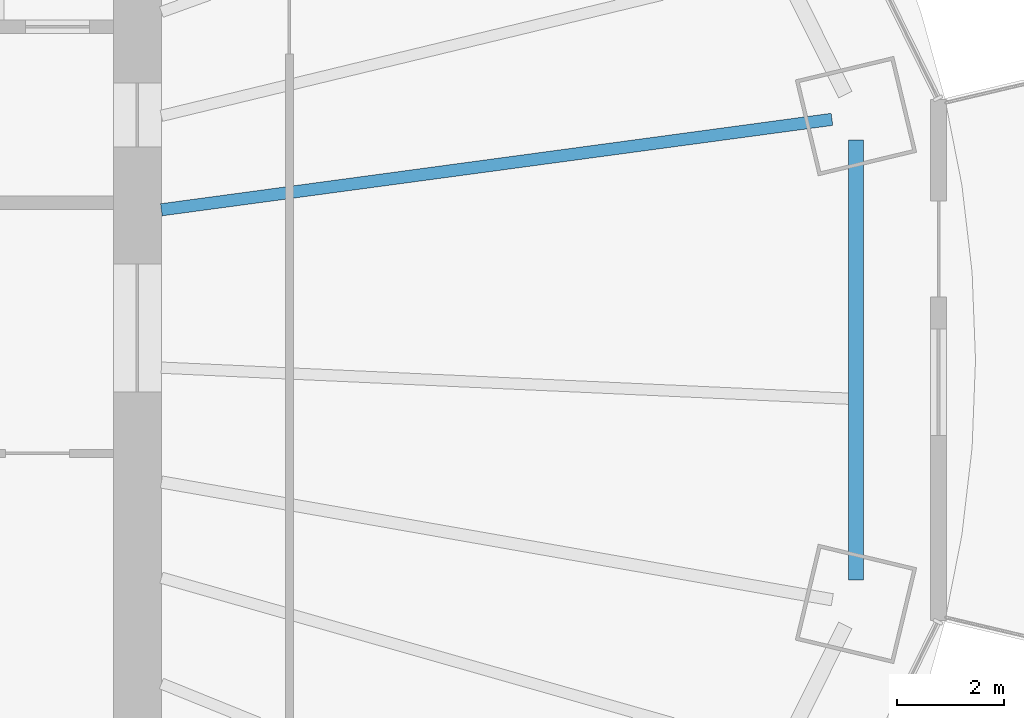
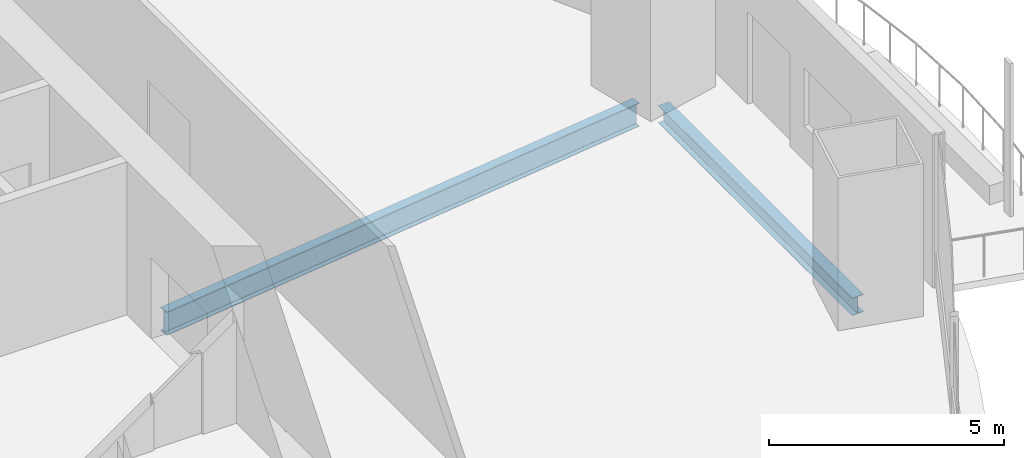
# One storey, part 5 of 19: 2 beams.
"""IFC4 building model written with IfcOpenShell, lengths in metres."""

from ifc_helpers import new_model, si_unit, direction, frame, origin, origin_2d, place, context, subcontext, project, spatial, i_section, extrude, material, material_profile, profile_set, type_object, element, save


model = new_model("IFC4")

# Units and contexts
model_context = context("Model", 3, precision=1e-05, world=origin(), true_north=direction((0.0, 1.0)))
body_context = subcontext(model_context, "Body", "Model", "MODEL_VIEW")
ifc_project = project(units=[si_unit("LENGTHUNIT", "METRE"), si_unit("AREAUNIT", "SQUARE_METRE"), si_unit("VOLUMEUNIT", "CUBIC_METRE"), si_unit("PLANEANGLEUNIT", "RADIAN"), si_unit("MASSUNIT", "GRAM", prefix="KILO")], contexts=[model_context])

# Site, building, storey
site_placement = place(None, origin())
site = spatial("IfcSite", under=ifc_project, at=site_placement, CompositionType="ELEMENT")
building_placement = place(site_placement, origin())
building = spatial("IfcBuilding", under=site, at=building_placement, Name="Marenthal Gate Tower", CompositionType="ELEMENT")
storey_placement = place(building_placement, frame((0.0, 0.0, 248.199951171875)))
storey = spatial("IfcBuildingStorey", under=building, at=storey_placement, Name="L55", CompositionType="ELEMENT", Elevation=248.199951171875)

# Beams
ifc_material_1 = material(Name="Steel S355", Category="steel")
ifc_material_profile_1 = material_profile(ifc_material_1, i_section(OverallWidth=0.279052734375, OverallDepth=0.4619140625, WebThickness=0.0107421875, FlangeThickness=0.017333984375, FilletRadius=0.010009765625, at=origin_2d()), Name="W460X113")
ifc_profile_set_1 = profile_set([ifc_material_profile_1], Name="Steel S355")
beam_type_1 = type_object("IfcBeamType", Name="W460X113 beam", PredefinedType="BEAM", material=ifc_profile_set_1)
beam_1_placement = place(storey_placement, frame((29.480712890625, -4.724609375, -0.410888671875), z_axis=(0.0, 1.0, 0.0), x_axis=(-1.0, 0.0, 0.0)))
element("IfcBeam", 1, at=beam_1_placement, inside=storey, type_object=beam_type_1, Name="BM-L55-56", PredefinedType="BEAM", context=body_context, shape_type="SweptSolid", body=[
    extrude(i_section(OverallWidth=0.279052734375, OverallDepth=0.4619140625, WebThickness=0.0107421875, FlangeThickness=0.017333984375, FilletRadius=0.010009765625, at=origin_2d()), origin(), (0.0, 0.0, 1.0), 8.2490234375),
])
ifc_material_2 = material(Name="Steel S355", Category="steel")
ifc_material_profile_2 = material_profile(ifc_material_2, i_section(OverallWidth=0.22900390625, OverallDepth=0.612060546875, WebThickness=0.011962890625, FlangeThickness=0.01953125, FilletRadius=0.0126953125, at=origin_2d()), Name="W610X125")
ifc_profile_set_2 = profile_set([ifc_material_profile_2], Name="Steel S355")
beam_type_2 = type_object("IfcBeamType", Name="W610X125 beam", PredefinedType="BEAM", material=ifc_profile_set_2)
beam_2_placement = place(storey_placement, frame((29.02978515625, 3.914794921875, -0.48583984375), z_axis=(-0.991030952375, -0.133632523863, 0.0), x_axis=(0.133632523863, -0.991030952375, 0.0)))
element("IfcBeam", 2, at=beam_2_placement, inside=storey, type_object=beam_type_2, Name="BM-L55-01", PredefinedType="BEAM", context=body_context, shape_type="SweptSolid", body=[
    extrude(i_section(OverallWidth=0.22900390625, OverallDepth=0.612060546875, WebThickness=0.011962890625, FlangeThickness=0.01953125, FilletRadius=0.0126953125, at=origin_2d()), origin(), (0.0, 0.0, 1.0), 12.693603515625),
])

save(model, "model.ifc")
